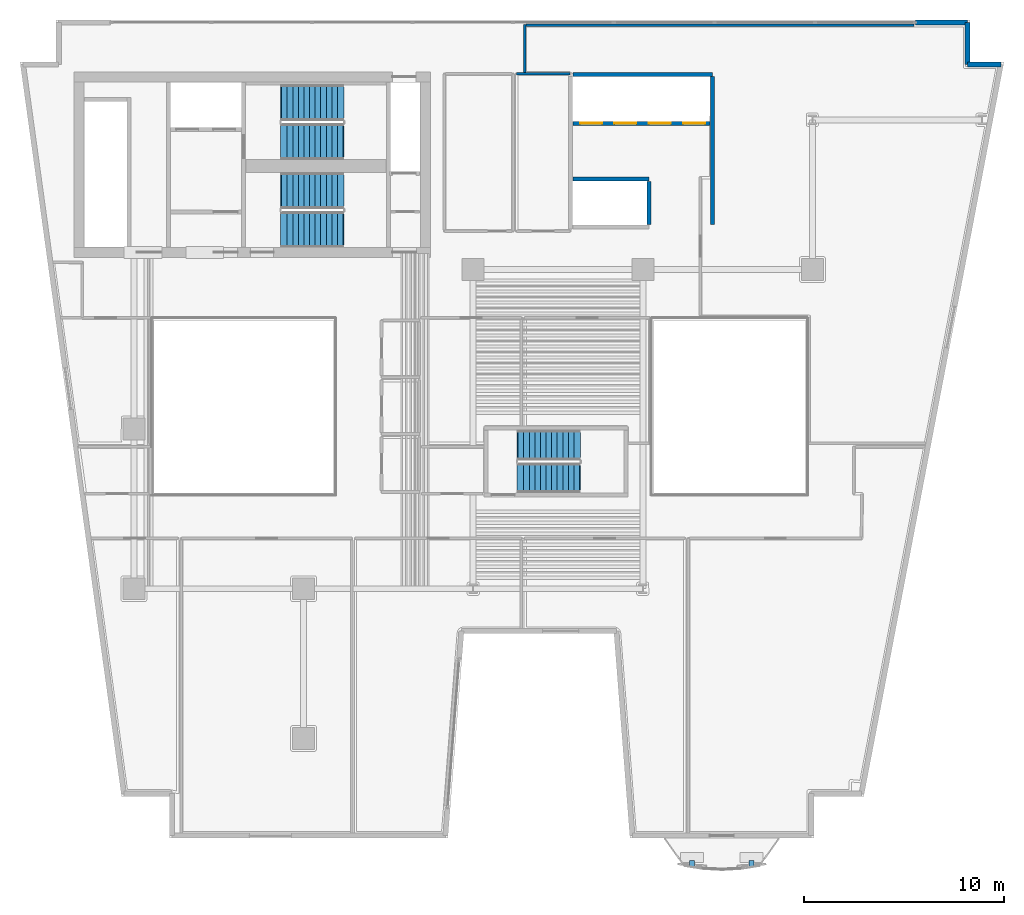
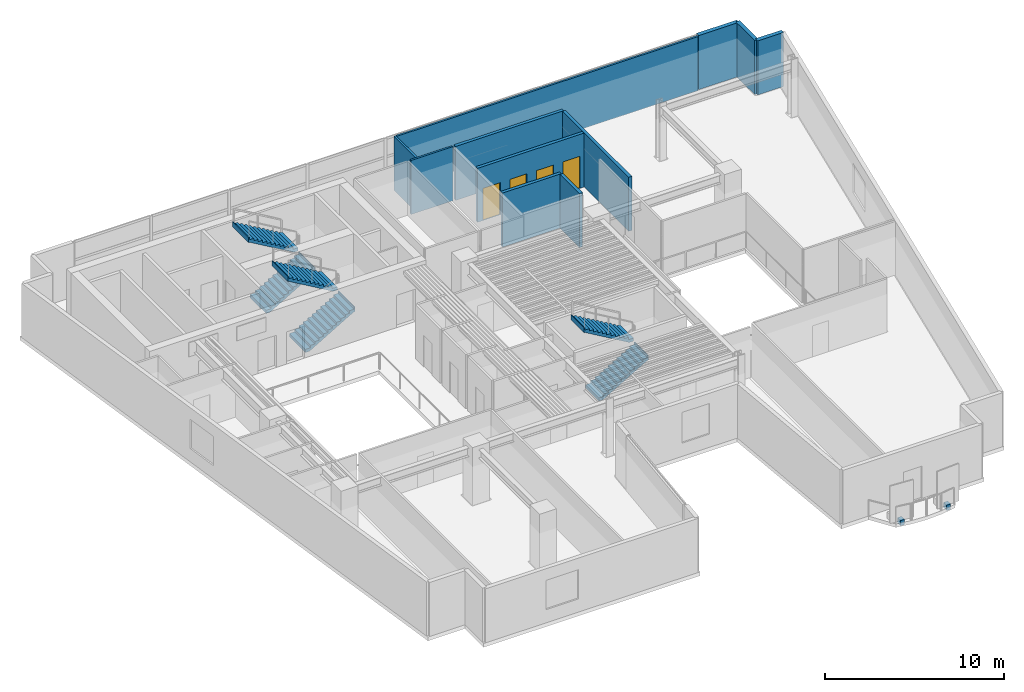
# One storey, part 8 of 12: 11 walls, 6 stair flights, 4 doors, 2 discrete accessories, 4 openings, 3 elements without a shape of their own.
"""IFC4 building model written with IfcOpenShell, lengths in metres."""

from ifc_helpers import new_model, si_unit, direction, frame, frame_2d, origin, origin_2d, place, context, subcontext, project, spatial, polyline, rectangle, outline, extrude, material, layer, layer_set, type_object, element, fill, aggregate, save


model = new_model("IFC4")

# Units and contexts
model_context = context("Model", 3, precision=1e-05, world=origin(), true_north=direction((0.0, 1.0)))
body_context = subcontext(model_context, "Body", "Model", "MODEL_VIEW")
ifc_project = project(units=[si_unit("LENGTHUNIT", "METRE"), si_unit("AREAUNIT", "SQUARE_METRE"), si_unit("VOLUMEUNIT", "CUBIC_METRE"), si_unit("PLANEANGLEUNIT", "RADIAN"), si_unit("MASSUNIT", "GRAM", prefix="KILO")], contexts=[model_context])

# Site, building, storey
site_placement = place(None, origin())
site = spatial("IfcSite", under=ifc_project, at=site_placement, CompositionType="ELEMENT")
building_placement = place(site_placement, origin())
building = spatial("IfcBuilding", under=site, at=building_placement, Name="Caeloran Harvest Quay", CompositionType="ELEMENT")
storey_placement = place(building_placement, frame((0.0, 0.0, 150.89990234375)))
storey = spatial("IfcBuildingStorey", under=building, at=storey_placement, Name="L35", CompositionType="ELEMENT", Elevation=150.89990234375)

# Walls
ifc_material_1 = material(Name="Precast concrete C50/60", Category="concrete")
ifc_layer_1 = layer(ifc_material_1, 0.260009765625, Name="Precast concrete C50/60")
ifc_layer_set_1 = layer_set([ifc_layer_1], Name="Precast concrete C50/60")
wall_type_1 = type_object("IfcWallType", Name="ENV-WALL-EW-260", PredefinedType="STANDARD", material=ifc_layer_set_1)
wall_1_placement = place(storey_placement, frame((47.669921875, 43.3701171875, 0.0), z_axis=(0.0, 0.0, 1.0), x_axis=(1.0, 0.0, 0.0)))
element("IfcWall", 1, at=wall_1_placement, inside=storey, type_object=wall_type_1, Name="L35 Exterior Facade Corner Pier Wall 6B", PredefinedType="STANDARD", context=body_context, shape_type="SweptSolid", body=[
    extrude(rectangle(XDim=2.60009765625, YDim=0.260009765625, at=frame_2d((1.300048828125, 0.0))), origin(), (0.0, 0.0, 1.0), 3.690185546875),
])
wall_2_placement = place(storey_placement, frame((50.27001953125, 43.3701171875, 0.0), z_axis=(0.0, 0.0, 1.0), x_axis=(0.0, -1.0, 0.0)))
element("IfcWall", 2, at=wall_2_placement, inside=storey, type_object=wall_type_1, Name="L35 Exterior Precast Concrete Facade Wall 7", PredefinedType="STANDARD", context=body_context, shape_type="SweptSolid", body=[
    extrude(rectangle(XDim=2.10009765625, YDim=0.260009765625, at=frame_2d((1.050048828125, 0.0))), origin(), (0.0, 0.0, 1.0), 3.690185546875),
])
wall_3_placement = place(storey_placement, frame((50.27001953125, 41.27001953125, 0.0), z_axis=(0.0, 0.0, 1.0), x_axis=(1.0, 0.0, 0.0)))
element("IfcWall", 3, at=wall_3_placement, inside=storey, type_object=wall_type_1, Name="L35 Exterior Precast Concrete Facade Wall 8", PredefinedType="STANDARD", context=body_context, shape_type="SweptSolid", body=[
    extrude(rectangle(XDim=1.671875, YDim=0.260009765625, at=frame_2d((0.8359375, 0.0))), origin(), (0.0, 0.0, 1.0), 3.690185546875),
])
ifc_material_2 = material(Name="Twin-Stud Mineral-Wool Acoustic Gypsum Partition", Category="gypsum")
ifc_layer_2 = layer(ifc_material_2, 0.125, Name="Twin-Stud Mineral-Wool Acoustic Gypsum Partition")
ifc_layer_set_2 = layer_set([ifc_layer_2], Name="Twin-Stud Mineral-Wool Acoustic Gypsum Partition")
wall_type_2 = type_object("IfcWallType", Name="INT-WALL-PW-125", PredefinedType="PARTITIONING", material=ifc_layer_set_2)
wall_4_placement = place(storey_placement, frame((27.659912109375, 40.800048828125, 0.0), z_axis=(0.0, 0.0, 1.0), x_axis=(1.0, 0.0, 0.0)))
element("IfcWall", 4, at=wall_4_placement, inside=storey, type_object=wall_type_2, Name="L35 Seed Imaging Laboratory Partition Wall", PredefinedType="PARTITIONING", context=body_context, shape_type="SweptSolid", body=[
    extrude(rectangle(XDim=2.690185546875, YDim=0.125, at=frame_2d((1.34521484375, 0.0))), origin(), (0.0, 0.0, 1.0), 3.690185546875),
])
wall_5_placement = place(storey_placement, frame((28.080078125, 40.867431640625, 0.0), z_axis=(0.0, 0.0, 1.0), x_axis=(0.0, 1.0, 0.0)))
element("IfcWall", 5, at=wall_5_placement, inside=storey, type_object=wall_type_2, Name="Seed IP Legal Counsel Office 11 Partition Wall", PredefinedType="PARTITIONING", context=body_context, shape_type="SweptSolid", body=[
    extrude(rectangle(XDim=2.3974609375, YDim=0.125, at=frame_2d((1.19873046875, 0.0))), origin(), (0.0, 0.0, 1.0), 3.690185546875),
])
wall_6_placement = place(storey_placement, frame((28.1474609375, 43.239990234375, 0.0), z_axis=(0.0, 0.0, 1.0), x_axis=(1.0, 0.0, 0.0)))
element("IfcWall", 6, at=wall_6_placement, inside=storey, type_object=wall_type_2, Name="Seed IP Legal Counsel Office 11 Partition Wall", PredefinedType="PARTITIONING", context=body_context, shape_type="SweptSolid", body=[
    extrude(rectangle(XDim=19.447998046875, YDim=0.125, at=frame_2d((9.72412109375, 0.0))), origin(), (0.0, 0.0, 1.0), 3.690185546875),
])
ifc_material_3 = material(Name="Concrete C50/60", Category="concrete")
ifc_layer_3 = layer(ifc_material_3, 0.199951171875, Name="Concrete C50/60")
ifc_layer_set_3 = layer_set([ifc_layer_3], Name="Concrete C50/60")
wall_type_3 = type_object("IfcWallType", Name="INT-WALL-SW-200", PredefinedType="PARTITIONING", material=ifc_layer_set_3)
wall_7_placement = place(storey_placement, frame((30.5, 40.780029296875, 0.0), z_axis=(0.0, 0.0, 1.0), x_axis=(1.0, 0.0, 0.0)))
element("IfcWall", 7, at=wall_7_placement, inside=storey, type_object=wall_type_3, Name="L35 Bank 2 Lift Shaft North Wall", PredefinedType="PARTITIONING", context=body_context, shape_type="SweptSolid", body=[
    extrude(rectangle(XDim=6.97998046875, YDim=0.199951171875, at=frame_2d((3.489990234375, 0.0))), origin(), (0.0, 0.0, 1.0), 3.690185546875),
])
wall_8_placement = place(storey_placement, frame((37.47998046875, 33.239990234375, 0.0), z_axis=(0.0, 0.0, 1.0), x_axis=(0.0, 1.0, 0.0)))
element("IfcWall", 8, at=wall_8_placement, inside=storey, type_object=wall_type_3, Name="L35 Bank 2 Lift Shaft East Wall", PredefinedType="PARTITIONING", context=body_context, shape_type="SweptSolid", body=[
    extrude(rectangle(XDim=7.419921875, YDim=0.199951171875, at=frame_2d((3.7099609375, 0.0))), origin(), (0.0, 0.0, 1.0), 3.690185546875),
])

# Wall, openings, doors
wall_9_placement = place(storey_placement, frame((30.5, 38.320068359375, 0.0), z_axis=(0.0, 0.0, 1.0), x_axis=(1.0, 0.0, 0.0)))
wall_9 = element("IfcWall", 9, at=wall_9_placement, inside=storey, type_object=wall_type_3, Name="L35 Bank 2 Lift Landing Front Wall", PredefinedType="PARTITIONING", context=body_context, shape_type="SweptSolid", body=[
    extrude(rectangle(XDim=6.860107421875, YDim=0.199951171875, at=frame_2d((3.43017578125, 0.0))), origin(), (0.0, 0.0, 1.0), 3.690185546875),
])
opening_1_placement = place(wall_9_placement, frame((0.360107421875, 0.0, 0.0)))
opening_1 = element("IfcOpeningElement", 10, at=opening_1_placement, cuts=wall_9, Name="Opening LD-01", PredefinedType="OPENING", context=body_context, shape_type="SweptSolid", body=[
    extrude(rectangle(XDim=1.10009765625, YDim=2.199951171875, at=frame_2d((0.550048828125, 1.10009765625))), frame((0.0, 0.10986328125, 0.0), z_axis=(0.0, -1.0, 0.0), x_axis=(1.0, 0.0, 0.0)), (0.0, 0.0, 1.0), 0.219970703125),
])
opening_2_placement = place(wall_9_placement, frame((2.080078125, 0.0, 0.0)))
opening_2 = element("IfcOpeningElement", 11, at=opening_2_placement, cuts=wall_9, Name="Opening LD-01", PredefinedType="OPENING", context=body_context, shape_type="SweptSolid", body=[
    extrude(rectangle(XDim=1.10009765625, YDim=2.199951171875, at=frame_2d((0.550048828125, 1.10009765625))), frame((0.0, 0.10986328125, 0.0), z_axis=(0.0, -1.0, 0.0), x_axis=(1.0, 0.0, 0.0)), (0.0, 0.0, 1.0), 0.219970703125),
])
opening_3_placement = place(wall_9_placement, frame((3.800048828125, 0.0, 0.0)))
opening_3 = element("IfcOpeningElement", 12, at=opening_3_placement, cuts=wall_9, Name="Opening LD-01", PredefinedType="OPENING", context=body_context, shape_type="SweptSolid", body=[
    extrude(rectangle(XDim=1.10009765625, YDim=2.199951171875, at=frame_2d((0.550048828125, 1.10009765625))), frame((0.0, 0.10986328125, 0.0), z_axis=(0.0, -1.0, 0.0), x_axis=(1.0, 0.0, 0.0)), (0.0, 0.0, 1.0), 0.219970703125),
])
opening_4_placement = place(wall_9_placement, frame((5.52001953125, 0.0, 0.0)))
opening_4 = element("IfcOpeningElement", 13, at=opening_4_placement, cuts=wall_9, Name="Opening LD-01", PredefinedType="OPENING", context=body_context, shape_type="SweptSolid", body=[
    extrude(rectangle(XDim=1.10009765625, YDim=2.199951171875, at=frame_2d((0.550048828125, 1.10009765625))), frame((0.0, 0.10986328125, 0.0), z_axis=(0.0, -1.0, 0.0), x_axis=(1.0, 0.0, 0.0)), (0.0, 0.0, 1.0), 0.219970703125),
])
ifc_material_4 = material(Name="Stainless Steel Grade 316", Category="steel")
door_type = type_object("IfcDoorType", Name="INTDOOR-LD-01", OperationType="NOTDEFINED", PredefinedType="DOOR", material=ifc_material_4)
door_1_placement = place(opening_1_placement, origin())
door_1 = element("IfcDoor", 14, at=door_1_placement, inside=storey, type_object=door_type, Name="Lift P2-1 Sliding Landing Door (L35)", OperationType="DOUBLE_DOOR_SLIDING", OverallHeight=2.199951171875, OverallWidth=1.10009765625, PredefinedType="DOOR", context=body_context, shape_type="SweptSolid", body=[
    extrude(rectangle(XDim=1.10009765625, YDim=2.199951171875, at=frame_2d((0.550048828125, 1.10009765625))), frame((0.0, 0.02490234375, 0.0), z_axis=(0.0, -1.0, 0.0), x_axis=(1.0, 0.0, 0.0)), (0.0, 0.0, 1.0), 0.050048828125),
])
fill(opening_1, door_1)
door_2_placement = place(opening_2_placement, origin())
door_2 = element("IfcDoor", 15, at=door_2_placement, inside=storey, type_object=door_type, Name="Lift P2-2 Sliding Landing Door (L35)", OperationType="DOUBLE_DOOR_SLIDING", OverallHeight=2.199951171875, OverallWidth=1.10009765625, PredefinedType="DOOR", context=body_context, shape_type="SweptSolid", body=[
    extrude(rectangle(XDim=1.10009765625, YDim=2.199951171875, at=frame_2d((0.550048828125, 1.10009765625))), frame((0.0, 0.02490234375, 0.0), z_axis=(0.0, -1.0, 0.0), x_axis=(1.0, 0.0, 0.0)), (0.0, 0.0, 1.0), 0.050048828125),
])
fill(opening_2, door_2)
door_3_placement = place(opening_3_placement, origin())
door_3 = element("IfcDoor", 16, at=door_3_placement, inside=storey, type_object=door_type, Name="Lift P2-3 Sliding Landing Door (L35)", OperationType="DOUBLE_DOOR_SLIDING", OverallHeight=2.199951171875, OverallWidth=1.10009765625, PredefinedType="DOOR", context=body_context, shape_type="SweptSolid", body=[
    extrude(rectangle(XDim=1.10009765625, YDim=2.199951171875, at=frame_2d((0.550048828125, 1.10009765625))), frame((0.0, 0.02490234375, 0.0), z_axis=(0.0, -1.0, 0.0), x_axis=(1.0, 0.0, 0.0)), (0.0, 0.0, 1.0), 0.050048828125),
])
fill(opening_3, door_3)
door_4_placement = place(opening_4_placement, origin())
door_4 = element("IfcDoor", 17, at=door_4_placement, inside=storey, type_object=door_type, Name="Lift P2-4 Sliding Landing Door (L35)", OperationType="DOUBLE_DOOR_SLIDING", OverallHeight=2.199951171875, OverallWidth=1.10009765625, PredefinedType="DOOR", context=body_context, shape_type="SweptSolid", body=[
    extrude(rectangle(XDim=1.10009765625, YDim=2.199951171875, at=frame_2d((0.550048828125, 1.10009765625))), frame((0.0, 0.02490234375, 0.0), z_axis=(0.0, -1.0, 0.0), x_axis=(1.0, 0.0, 0.0)), (0.0, 0.0, 1.0), 0.050048828125),
])
fill(opening_4, door_4)

# Walls
wall_10_placement = place(storey_placement, frame((30.5, 35.530029296875, 0.0), z_axis=(0.0, 0.0, 1.0), x_axis=(1.0, 0.0, 0.0)))
element("IfcWall", 18, at=wall_10_placement, inside=storey, type_object=wall_type_3, Name="L35 Shuttle Lift Landing Front Wall", PredefinedType="PARTITIONING", context=body_context, shape_type="SweptSolid", body=[
    extrude(rectangle(XDim=3.800048828125, YDim=0.199951171875, at=frame_2d((1.89990234375, 0.0))), origin(), (0.0, 0.0, 1.0), 3.690185546875),
])
wall_11_placement = place(storey_placement, frame((34.300048828125, 33.239990234375, 0.0), z_axis=(0.0, 0.0, 1.0), x_axis=(0.0, 1.0, 0.0)))
element("IfcWall", 19, at=wall_11_placement, inside=storey, type_object=wall_type_3, Name="L35 Shuttle Lift Shaft East Wall", PredefinedType="PARTITIONING", context=body_context, shape_type="SweptSolid", body=[
    extrude(rectangle(XDim=2.169921875, YDim=0.199951171875, at=frame_2d((1.0849609375, 0.0))), origin(), (0.0, 0.0, 1.0), 3.690185546875),
])

# Stair, stair flights
stair_type_1 = type_object("IfcStairType", Name="STAIR-STC-180", PredefinedType="HALF_TURN_STAIR", material=ifc_material_3)
stair_1_placement = place(storey_placement, origin())
stair_1 = element("IfcStair", 20, at=stair_1_placement, inside=storey, type_object=stair_type_1, Name="L35 Core Pressurized Exit Stair ST-C1", PredefinedType="HALF_TURN_STAIR")
stair_flight_type_1 = type_object("IfcStairFlightType", Name="FLIGHT-STC-180", PredefinedType="STRAIGHT", material=ifc_material_3)
stair_flight_1_placement = place(storey_placement, frame((15.89990234375, 37.39990234375, 0.0), z_axis=(0.0, 0.0, 1.0), x_axis=(1.0, 0.0, 0.0)))
stair_flight_1 = element("IfcStairFlight", 21, at=stair_flight_1_placement, type_object=stair_flight_type_1, Name="ST-C1 flight 1", NumberOfRisers=12, NumberOfTreads=11, PredefinedType="STRAIGHT", RiserHeight=0.164583333, TreadLength=0.28, context=body_context, shape_type="SweptSolid", body=[
    extrude(outline(polyline([(-0.054931640625, -0.044921875), (-0.054931640625, -0.031982421875), (-0.054931640625, -0.018798828125), (-0.054931640625, -0.005615234375), (-0.054931640625, 0.00732421875), (-0.054931640625, 0.0205078125), (-0.054931640625, 0.03369140625), (-0.054931640625, 0.046630859375), (-0.054931640625, 0.059814453125), (-0.054931640625, 0.072998046875), (-0.054931640625, 0.0859375), (-0.054931640625, 0.09912109375), (-0.054931640625, 0.1123046875), (-0.054931640625, 0.125244140625), (-0.054931640625, 0.138427734375), (-0.054931640625, 0.1513671875), (-0.054931640625, 0.16455078125), (0.280029296875, 0.16455078125), (0.280029296875, 0.3291015625), (0.56005859375, 0.3291015625), (0.56005859375, 0.49365234375), (0.840087890625, 0.49365234375), (0.840087890625, 0.658447265625), (1.1201171875, 0.658447265625), (1.1201171875, 0.822998046875), (1.39990234375, 0.822998046875), (1.39990234375, 0.987548828125), (1.679931640625, 0.987548828125), (1.679931640625, 1.152099609375), (1.9599609375, 1.152099609375), (1.9599609375, 1.316650390625), (2.239990234375, 1.316650390625), (2.239990234375, 1.481201171875), (2.52001953125, 1.481201171875), (2.52001953125, 1.645751953125), (2.800048828125, 1.645751953125), (2.800048828125, 1.810302734375), (3.080078125, 1.810302734375), (3.080078125, 1.97509765625), (3.135009765625, 1.97509765625), (3.135009765625, 1.953857421875), (3.135009765625, 1.9326171875), (3.135009765625, 1.91162109375), (3.135009765625, 1.890380859375), (3.135009765625, 1.869140625), (3.135009765625, 1.84814453125), (3.135009765625, 1.826904296875), (3.135009765625, 1.8056640625), (3.135009765625, 1.78466796875), (3.135009765625, 1.763427734375), (3.135009765625, 1.7421875), (3.135009765625, 1.72119140625), (3.135009765625, 1.699951171875), (3.135009765625, 1.678955078125), (3.135009765625, 1.65771484375), (3.135009765625, 1.636474609375), (3.080078125, 1.636474609375), (0.21923828125, -0.044921875), (-0.054931640625, -0.044921875)])), frame((0.0, 0.89990234375, 0.0), z_axis=(0.0, -1.0, 0.0), x_axis=(1.0, 0.0, 0.0)), (0.0, 0.0, 1.0), 1.800048828125),
])
stair_flight_2_placement = place(storey_placement, frame((18.97998046875, 39.35009765625, 1.97509765625), z_axis=(0.0, 0.0, 1.0), x_axis=(-1.0, 0.0, 0.0)))
stair_flight_2 = element("IfcStairFlight", 22, at=stair_flight_2_placement, type_object=stair_flight_type_1, Name="ST-C1 flight 2", NumberOfRisers=12, NumberOfTreads=11, PredefinedType="STRAIGHT", RiserHeight=0.164583333, TreadLength=0.28, context=body_context, shape_type="SweptSolid", body=[
    extrude(outline(polyline([(-0.054931640625, -0.044921875), (-0.054931640625, -0.031982421875), (-0.054931640625, -0.018798828125), (-0.054931640625, -0.005615234375), (-0.054931640625, 0.00732421875), (-0.054931640625, 0.0205078125), (-0.054931640625, 0.03369140625), (-0.054931640625, 0.046630859375), (-0.054931640625, 0.059814453125), (-0.054931640625, 0.072998046875), (-0.054931640625, 0.0859375), (-0.054931640625, 0.09912109375), (-0.054931640625, 0.1123046875), (-0.054931640625, 0.125244140625), (-0.054931640625, 0.138427734375), (-0.054931640625, 0.1513671875), (-0.054931640625, 0.16455078125), (0.280029296875, 0.16455078125), (0.280029296875, 0.3291015625), (0.56005859375, 0.3291015625), (0.56005859375, 0.49365234375), (0.840087890625, 0.49365234375), (0.840087890625, 0.658447265625), (1.1201171875, 0.658447265625), (1.1201171875, 0.822998046875), (1.39990234375, 0.822998046875), (1.39990234375, 0.987548828125), (1.679931640625, 0.987548828125), (1.679931640625, 1.152099609375), (1.9599609375, 1.152099609375), (1.9599609375, 1.316650390625), (2.239990234375, 1.316650390625), (2.239990234375, 1.481201171875), (2.52001953125, 1.481201171875), (2.52001953125, 1.645751953125), (2.800048828125, 1.645751953125), (2.800048828125, 1.810302734375), (3.080078125, 1.810302734375), (3.080078125, 1.97509765625), (3.135009765625, 1.97509765625), (3.135009765625, 1.953857421875), (3.135009765625, 1.9326171875), (3.135009765625, 1.91162109375), (3.135009765625, 1.890380859375), (3.135009765625, 1.869140625), (3.135009765625, 1.84814453125), (3.135009765625, 1.826904296875), (3.135009765625, 1.8056640625), (3.135009765625, 1.78466796875), (3.135009765625, 1.763427734375), (3.135009765625, 1.7421875), (3.135009765625, 1.72119140625), (3.135009765625, 1.699951171875), (3.135009765625, 1.678955078125), (3.135009765625, 1.65771484375), (3.135009765625, 1.636474609375), (3.080078125, 1.636474609375), (0.21923828125, -0.044921875), (-0.054931640625, -0.044921875)])), frame((0.0, 0.89990234375, 0.0), z_axis=(0.0, -1.0, 0.0), x_axis=(1.0, 0.0, 0.0)), (0.0, 0.0, 1.0), 1.800048828125),
])
aggregate(stair_1, [stair_flight_1, stair_flight_2])

stair_2_placement = place(storey_placement, origin())
stair_2 = element("IfcStair", 23, at=stair_2_placement, inside=storey, type_object=stair_type_1, Name="L35 Core Pressurized Exit Stair ST-C2", PredefinedType="HALF_TURN_STAIR")
stair_flight_3_placement = place(storey_placement, frame((15.89990234375, 33.0, 0.0), z_axis=(0.0, 0.0, 1.0), x_axis=(1.0, 0.0, 0.0)))
stair_flight_3 = element("IfcStairFlight", 24, at=stair_flight_3_placement, type_object=stair_flight_type_1, Name="ST-C2 flight 1", NumberOfRisers=12, NumberOfTreads=11, PredefinedType="STRAIGHT", RiserHeight=0.164583333, TreadLength=0.28, context=body_context, shape_type="SweptSolid", body=[
    extrude(outline(polyline([(-0.054931640625, -0.044921875), (-0.054931640625, -0.031982421875), (-0.054931640625, -0.018798828125), (-0.054931640625, -0.005615234375), (-0.054931640625, 0.00732421875), (-0.054931640625, 0.0205078125), (-0.054931640625, 0.03369140625), (-0.054931640625, 0.046630859375), (-0.054931640625, 0.059814453125), (-0.054931640625, 0.072998046875), (-0.054931640625, 0.0859375), (-0.054931640625, 0.09912109375), (-0.054931640625, 0.1123046875), (-0.054931640625, 0.125244140625), (-0.054931640625, 0.138427734375), (-0.054931640625, 0.1513671875), (-0.054931640625, 0.16455078125), (0.280029296875, 0.16455078125), (0.280029296875, 0.3291015625), (0.56005859375, 0.3291015625), (0.56005859375, 0.49365234375), (0.840087890625, 0.49365234375), (0.840087890625, 0.658447265625), (1.1201171875, 0.658447265625), (1.1201171875, 0.822998046875), (1.39990234375, 0.822998046875), (1.39990234375, 0.987548828125), (1.679931640625, 0.987548828125), (1.679931640625, 1.152099609375), (1.9599609375, 1.152099609375), (1.9599609375, 1.316650390625), (2.239990234375, 1.316650390625), (2.239990234375, 1.481201171875), (2.52001953125, 1.481201171875), (2.52001953125, 1.645751953125), (2.800048828125, 1.645751953125), (2.800048828125, 1.810302734375), (3.080078125, 1.810302734375), (3.080078125, 1.97509765625), (3.135009765625, 1.97509765625), (3.135009765625, 1.953857421875), (3.135009765625, 1.9326171875), (3.135009765625, 1.91162109375), (3.135009765625, 1.890380859375), (3.135009765625, 1.869140625), (3.135009765625, 1.84814453125), (3.135009765625, 1.826904296875), (3.135009765625, 1.8056640625), (3.135009765625, 1.78466796875), (3.135009765625, 1.763427734375), (3.135009765625, 1.7421875), (3.135009765625, 1.72119140625), (3.135009765625, 1.699951171875), (3.135009765625, 1.678955078125), (3.135009765625, 1.65771484375), (3.135009765625, 1.636474609375), (3.080078125, 1.636474609375), (0.21923828125, -0.044921875), (-0.054931640625, -0.044921875)])), frame((0.0, 0.89990234375, 0.0), z_axis=(0.0, -1.0, 0.0), x_axis=(1.0, 0.0, 0.0)), (0.0, 0.0, 1.0), 1.800048828125),
])
stair_flight_4_placement = place(storey_placement, frame((18.97998046875, 34.949951171875, 1.97509765625), z_axis=(0.0, 0.0, 1.0), x_axis=(-1.0, 0.0, 0.0)))
stair_flight_4 = element("IfcStairFlight", 25, at=stair_flight_4_placement, type_object=stair_flight_type_1, Name="ST-C2 flight 2", NumberOfRisers=12, NumberOfTreads=11, PredefinedType="STRAIGHT", RiserHeight=0.164583333, TreadLength=0.28, context=body_context, shape_type="SweptSolid", body=[
    extrude(outline(polyline([(-0.054931640625, -0.044921875), (-0.054931640625, -0.031982421875), (-0.054931640625, -0.018798828125), (-0.054931640625, -0.005615234375), (-0.054931640625, 0.00732421875), (-0.054931640625, 0.0205078125), (-0.054931640625, 0.03369140625), (-0.054931640625, 0.046630859375), (-0.054931640625, 0.059814453125), (-0.054931640625, 0.072998046875), (-0.054931640625, 0.0859375), (-0.054931640625, 0.09912109375), (-0.054931640625, 0.1123046875), (-0.054931640625, 0.125244140625), (-0.054931640625, 0.138427734375), (-0.054931640625, 0.1513671875), (-0.054931640625, 0.16455078125), (0.280029296875, 0.16455078125), (0.280029296875, 0.3291015625), (0.56005859375, 0.3291015625), (0.56005859375, 0.49365234375), (0.840087890625, 0.49365234375), (0.840087890625, 0.658447265625), (1.1201171875, 0.658447265625), (1.1201171875, 0.822998046875), (1.39990234375, 0.822998046875), (1.39990234375, 0.987548828125), (1.679931640625, 0.987548828125), (1.679931640625, 1.152099609375), (1.9599609375, 1.152099609375), (1.9599609375, 1.316650390625), (2.239990234375, 1.316650390625), (2.239990234375, 1.481201171875), (2.52001953125, 1.481201171875), (2.52001953125, 1.645751953125), (2.800048828125, 1.645751953125), (2.800048828125, 1.810302734375), (3.080078125, 1.810302734375), (3.080078125, 1.97509765625), (3.135009765625, 1.97509765625), (3.135009765625, 1.953857421875), (3.135009765625, 1.9326171875), (3.135009765625, 1.91162109375), (3.135009765625, 1.890380859375), (3.135009765625, 1.869140625), (3.135009765625, 1.84814453125), (3.135009765625, 1.826904296875), (3.135009765625, 1.8056640625), (3.135009765625, 1.78466796875), (3.135009765625, 1.763427734375), (3.135009765625, 1.7421875), (3.135009765625, 1.72119140625), (3.135009765625, 1.699951171875), (3.135009765625, 1.678955078125), (3.135009765625, 1.65771484375), (3.135009765625, 1.636474609375), (3.080078125, 1.636474609375), (0.21923828125, -0.044921875), (-0.054931640625, -0.044921875)])), frame((0.0, 0.89990234375, 0.0), z_axis=(0.0, -1.0, 0.0), x_axis=(1.0, 0.0, 0.0)), (0.0, 0.0, 1.0), 1.800048828125),
])
aggregate(stair_2, [stair_flight_3, stair_flight_4])

stair_type_2 = type_object("IfcStairType", Name="STAIR-STW-150", PredefinedType="HALF_TURN_STAIR", material=ifc_material_3)
stair_3_placement = place(storey_placement, origin())
stair_3 = element("IfcStair", 26, at=stair_3_placement, inside=storey, type_object=stair_type_2, Name="L35 East Wing Protected Exit Stair ST-W1", PredefinedType="HALF_TURN_STAIR")
stair_flight_type_2 = type_object("IfcStairFlightType", Name="FLIGHT-STW-150", PredefinedType="STRAIGHT", material=ifc_material_3)
stair_flight_5_placement = place(storey_placement, frame((27.75, 20.550048828125, 0.0), z_axis=(0.0, 0.0, 1.0), x_axis=(1.0, 0.0, 0.0)))
stair_flight_5 = element("IfcStairFlight", 27, at=stair_flight_5_placement, type_object=stair_flight_type_2, Name="ST-W1 flight 1", NumberOfRisers=12, NumberOfTreads=11, PredefinedType="STRAIGHT", RiserHeight=0.164583333, TreadLength=0.28, context=body_context, shape_type="SweptSolid", body=[
    extrude(outline(polyline([(-0.054931640625, -0.044921875), (-0.054931640625, -0.031982421875), (-0.054931640625, -0.018798828125), (-0.054931640625, -0.005615234375), (-0.054931640625, 0.00732421875), (-0.054931640625, 0.0205078125), (-0.054931640625, 0.03369140625), (-0.054931640625, 0.046630859375), (-0.054931640625, 0.059814453125), (-0.054931640625, 0.072998046875), (-0.054931640625, 0.0859375), (-0.054931640625, 0.09912109375), (-0.054931640625, 0.1123046875), (-0.054931640625, 0.125244140625), (-0.054931640625, 0.138427734375), (-0.054931640625, 0.1513671875), (-0.054931640625, 0.16455078125), (0.280029296875, 0.16455078125), (0.280029296875, 0.3291015625), (0.56005859375, 0.3291015625), (0.56005859375, 0.49365234375), (0.840087890625, 0.49365234375), (0.840087890625, 0.658447265625), (1.1201171875, 0.658447265625), (1.1201171875, 0.822998046875), (1.39990234375, 0.822998046875), (1.39990234375, 0.987548828125), (1.679931640625, 0.987548828125), (1.679931640625, 1.152099609375), (1.9599609375, 1.152099609375), (1.9599609375, 1.316650390625), (2.239990234375, 1.316650390625), (2.239990234375, 1.481201171875), (2.52001953125, 1.481201171875), (2.52001953125, 1.645751953125), (2.800048828125, 1.645751953125), (2.800048828125, 1.810302734375), (3.080078125, 1.810302734375), (3.080078125, 1.97509765625), (3.135009765625, 1.97509765625), (3.135009765625, 1.953857421875), (3.135009765625, 1.9326171875), (3.135009765625, 1.91162109375), (3.135009765625, 1.890380859375), (3.135009765625, 1.869140625), (3.135009765625, 1.84814453125), (3.135009765625, 1.826904296875), (3.135009765625, 1.8056640625), (3.135009765625, 1.78466796875), (3.135009765625, 1.763427734375), (3.135009765625, 1.7421875), (3.135009765625, 1.72119140625), (3.135009765625, 1.699951171875), (3.135009765625, 1.678955078125), (3.135009765625, 1.65771484375), (3.135009765625, 1.636474609375), (3.080078125, 1.636474609375), (0.21923828125, -0.044921875), (-0.054931640625, -0.044921875)])), frame((0.0, 0.75, 0.0), z_axis=(0.0, -1.0, 0.0), x_axis=(1.0, 0.0, 0.0)), (0.0, 0.0, 1.0), 1.5),
])
stair_flight_6_placement = place(storey_placement, frame((30.830078125, 22.199951171875, 1.97509765625), z_axis=(0.0, 0.0, 1.0), x_axis=(-1.0, 0.0, 0.0)))
stair_flight_6 = element("IfcStairFlight", 28, at=stair_flight_6_placement, type_object=stair_flight_type_2, Name="ST-W1 flight 2", NumberOfRisers=12, NumberOfTreads=11, PredefinedType="STRAIGHT", RiserHeight=0.164583333, TreadLength=0.28, context=body_context, shape_type="SweptSolid", body=[
    extrude(outline(polyline([(-0.054931640625, -0.044921875), (-0.054931640625, -0.031982421875), (-0.054931640625, -0.018798828125), (-0.054931640625, -0.005615234375), (-0.054931640625, 0.00732421875), (-0.054931640625, 0.0205078125), (-0.054931640625, 0.03369140625), (-0.054931640625, 0.046630859375), (-0.054931640625, 0.059814453125), (-0.054931640625, 0.072998046875), (-0.054931640625, 0.0859375), (-0.054931640625, 0.09912109375), (-0.054931640625, 0.1123046875), (-0.054931640625, 0.125244140625), (-0.054931640625, 0.138427734375), (-0.054931640625, 0.1513671875), (-0.054931640625, 0.16455078125), (0.280029296875, 0.16455078125), (0.280029296875, 0.3291015625), (0.56005859375, 0.3291015625), (0.56005859375, 0.49365234375), (0.840087890625, 0.49365234375), (0.840087890625, 0.658447265625), (1.1201171875, 0.658447265625), (1.1201171875, 0.822998046875), (1.39990234375, 0.822998046875), (1.39990234375, 0.987548828125), (1.679931640625, 0.987548828125), (1.679931640625, 1.152099609375), (1.9599609375, 1.152099609375), (1.9599609375, 1.316650390625), (2.239990234375, 1.316650390625), (2.239990234375, 1.481201171875), (2.52001953125, 1.481201171875), (2.52001953125, 1.645751953125), (2.800048828125, 1.645751953125), (2.800048828125, 1.810302734375), (3.080078125, 1.810302734375), (3.080078125, 1.97509765625), (3.135009765625, 1.97509765625), (3.135009765625, 1.953857421875), (3.135009765625, 1.9326171875), (3.135009765625, 1.91162109375), (3.135009765625, 1.890380859375), (3.135009765625, 1.869140625), (3.135009765625, 1.84814453125), (3.135009765625, 1.826904296875), (3.135009765625, 1.8056640625), (3.135009765625, 1.78466796875), (3.135009765625, 1.763427734375), (3.135009765625, 1.7421875), (3.135009765625, 1.72119140625), (3.135009765625, 1.699951171875), (3.135009765625, 1.678955078125), (3.135009765625, 1.65771484375), (3.135009765625, 1.636474609375), (3.080078125, 1.636474609375), (0.21923828125, -0.044921875), (-0.054931640625, -0.044921875)])), frame((0.0, 0.75, 0.0), z_axis=(0.0, -1.0, 0.0), x_axis=(1.0, 0.0, 0.0)), (0.0, 0.0, 1.0), 1.5),
])
aggregate(stair_3, [stair_flight_5, stair_flight_6])

# Discrete accessories
ifc_material_5 = material(Name="Stainless Steel Grade 316L", Category="steel")
discrete_accessory_type = type_object("IfcDiscreteAccessoryType", Name="BRACKET-SCREEN-SS", PredefinedType="BRACKET", material=ifc_material_5)
for number, where, z_axis, x_axis, name in (
    (29, (39.44921875, 1.21484375, -0.2197265625), (0.0, 0.0, 1.0), (1.0, 0.0, 0.0), "L35 Balcony Screen Support Bracket 1"),
    (30, (36.4658203125, 1.21484375, -0.2197265625), (0.0, 0.0, 1.0), (1.0, 0.0, 0.0), "L35 Balcony Screen Support Bracket 2"),
):
    element("IfcDiscreteAccessory", number, at=place(storey_placement, frame(where, z_axis=z_axis, x_axis=x_axis)), inside=storey, type_object=discrete_accessory_type, Name=name, PredefinedType="BRACKET", context=body_context, shape_type="SweptSolid", body=[
        extrude(rectangle(XDim=0.260009765625, YDim=0.340087890625, at=origin_2d()), origin(), (0.0, 0.0, 1.0), 0.360107421875),
    ])

save(model, "model.ifc")
